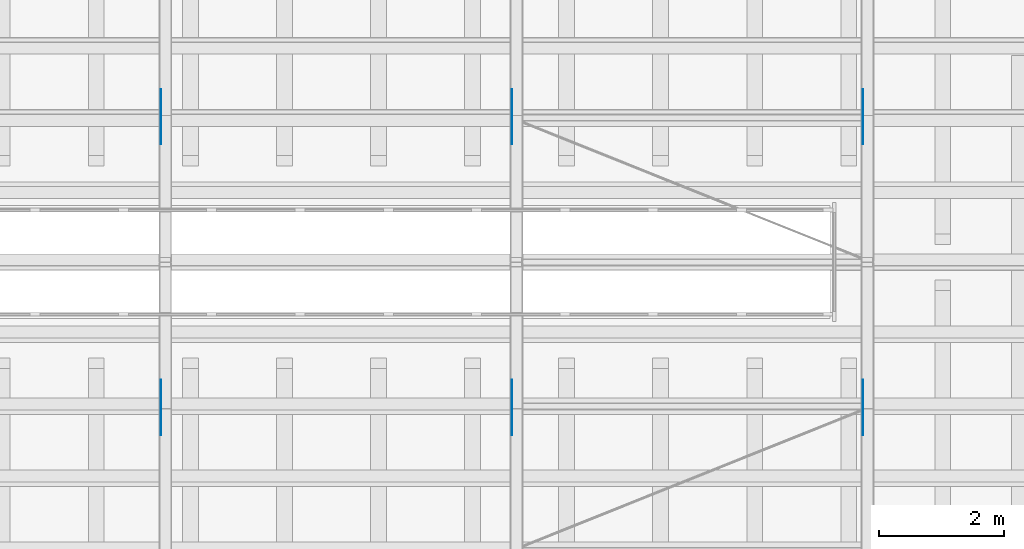
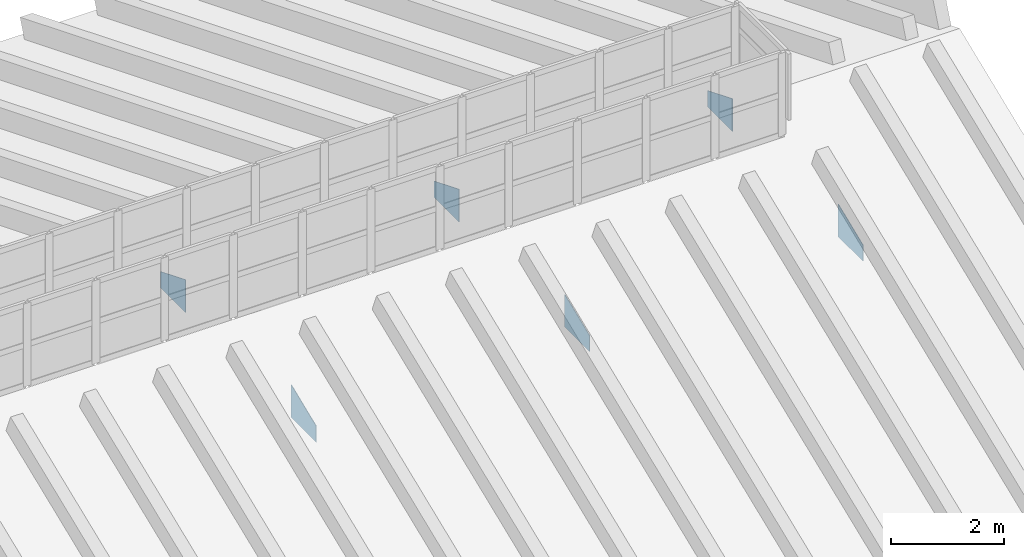
# One storey, part 66 of 105: 6 discrete accessories.
"""IFC4 building model written with IfcOpenShell, lengths in metres."""

import ifcopenshell
import ifcopenshell.guid

model = None  # the IFC model being written
_history = None  # IfcOwnerHistory: only IFC2X3 demands one
_inside = {}  # id of a spatial element -> (the spatial element, [elements in it])
_under = {}  # id of a project, library or spatial element -> (it, [spatial elements below it])
_declared = {}  # id of a project -> (the project, [libraries it declares])
_typed = {}  # id of a type object -> (the type object, [elements of that type])
_made_of = {}  # id of a material, layer set ... -> (it, [elements and type objects made of it])


def new_model(schema):
    """Start an empty IFC model of exactly this schema.

    Asked for "IFC4X3", IfcOpenShell would pick the latest addendum, in which some entities
    have other attributes; the version numbers below select the first issue.
    IFC2X3 requires an IfcOwnerHistory on every rooted entity: one is made here for all.
    """
    global model, _history
    if schema == "IFC4X3":
        model = ifcopenshell.file(schema_version=(4, 3, 0, 0))
    else:
        model = ifcopenshell.file(schema=schema)
    _inside.clear()
    _under.clear()
    _declared.clear()
    _typed.clear()
    _made_of.clear()
    _history = None
    if model.schema == "IFC2X3":
        org = make("IfcOrganization", Name="unknown")
        user = make(
            "IfcPersonAndOrganization",
            ThePerson=make("IfcPerson", FamilyName="unknown"),
            TheOrganization=org,
        )
        app = make(
            "IfcApplication",
            ApplicationDeveloper=org,
            Version="unknown",
            ApplicationFullName="unknown",
            ApplicationIdentifier="unknown",
        )
        _history = make(
            "IfcOwnerHistory",
            OwningUser=user,
            OwningApplication=app,
            ChangeAction="ADDED",
            CreationDate=0,
        )
    return model


def make(cls, **values):
    """One entity of the class cls with the attributes given. An attribute that is None is left unset."""
    return model.create_entity(
        cls, **{name: value for name, value in values.items() if value is not None}
    )


def rooted(cls, **values):
    """An entity with a GlobalId (a new one), such as an element, a storey or a relation."""
    return make(cls, GlobalId=ifcopenshell.guid.new(), OwnerHistory=_history, **values)


def si_unit(unit_type, name, prefix=None):
    """IfcSIUnit, for example si_unit("LENGTHUNIT", "METRE", prefix="MILLI")."""
    return make("IfcSIUnit", UnitType=unit_type, Prefix=prefix, Name=name)


def assignment(units):
    """IfcUnitAssignment: the units of a project."""
    return None if units is None else make("IfcUnitAssignment", Units=units)


def point(xyz):
    """IfcCartesianPoint."""
    return None if xyz is None else make("IfcCartesianPoint", Coordinates=xyz)


def direction(xyz):
    """IfcDirection."""
    return None if xyz is None else make("IfcDirection", DirectionRatios=xyz)


def frame(location, z_axis=None, x_axis=None):
    """IfcAxis2Placement3D, a coordinate frame: its origin and axes. An axis left out is left unset."""
    return make(
        "IfcAxis2Placement3D",
        Location=point(location),
        Axis=direction(z_axis),
        RefDirection=direction(x_axis),
    )


def origin():
    """The frame at (0, 0, 0) with its axes left unset."""
    return frame((0.0, 0.0, 0.0))


def place(relative_to, where):
    """IfcLocalPlacement: puts the frame where relative to a parent placement (None: the world)."""
    return make(
        "IfcLocalPlacement", PlacementRelTo=relative_to, RelativePlacement=where
    )


def context(
    kind, dimensions, precision=None, world=None, true_north=None, identifier=None
):
    """IfcGeometricRepresentationContext, for example the 3D "Model" context."""
    return make(
        "IfcGeometricRepresentationContext",
        ContextIdentifier=identifier,
        ContextType=kind,
        CoordinateSpaceDimension=dimensions,
        Precision=precision,
        WorldCoordinateSystem=world,
        TrueNorth=true_north,
    )


def subcontext(parent, identifier, kind, view, scale=None):
    """IfcGeometricRepresentationSubContext, for example "Body" below "Model"."""
    return make(
        "IfcGeometricRepresentationSubContext",
        ContextIdentifier=identifier,
        ContextType=kind,
        ParentContext=parent,
        TargetScale=scale,
        TargetView=view,
    )


def project(units=None, contexts=None):
    """IfcProject with its units and contexts."""
    return rooted(
        "IfcProject",
        Name="project",
        RepresentationContexts=contexts,
        UnitsInContext=assignment(units),
    )


def spatial(cls, under=None, at=None, **own):
    """A site, building, storey or space (cls), placed at a placement, below another one or the project."""
    s = rooted(cls, ObjectPlacement=at, **own)
    if under is not None:
        _under.setdefault(under.id(), (under, []))[1].append(s)
    return s


def polyline(points):
    """IfcPolyline through the points."""
    return make("IfcPolyline", Points=[point(p) for p in points])


def outline(outer, holes=None, kind="AREA"):
    """IfcArbitraryClosedProfileDef: a profile drawn as a closed curve; with holes, ...WithVoids."""
    if holes is None:
        return make("IfcArbitraryClosedProfileDef", ProfileType=kind, OuterCurve=outer)
    return make(
        "IfcArbitraryProfileDefWithVoids",
        ProfileType=kind,
        OuterCurve=outer,
        InnerCurves=holes,
    )


def extrude(swept, where, along, depth):
    """IfcExtrudedAreaSolid: the profile swept, set in the frame where, extruded along a direction by depth."""
    return make(
        "IfcExtrudedAreaSolid",
        SweptArea=swept,
        Position=where,
        ExtrudedDirection=direction(along),
        Depth=depth,
    )


def shape(context_of_items, identifier, shape_type, items):
    """IfcShapeRepresentation: the items that make up one representation, for example the "Body"."""
    return make(
        "IfcShapeRepresentation",
        ContextOfItems=context_of_items,
        RepresentationIdentifier=identifier,
        RepresentationType=shape_type,
        Items=items,
    )


def made_of(thing, what):
    """Note that an element or type object is made of a material, layer set ...; save() writes the relation."""
    if what is not None:
        _made_of.setdefault(what.id(), (what, []))[1].append(thing)
    return thing


def element(
    cls,
    number,
    at=None,
    inside=None,
    cuts=None,
    type_object=None,
    material=None,
    context=None,
    identifier="Body",
    shape_type=None,
    held_by="IfcProductDefinitionShape",
    body=None,
    shapes=None,
    **own,
):
    """One element of the class cls, such as IfcWall. Its Tag is "e" and its number.

    at: its placement. inside: the storey or other place that contains it. cuts: it is an
    opening in that element (IfcRelVoidsElement). A single representation is given by context,
    identifier, shape_type and body (its items); several are given by shapes. held_by: the class
    of the entity that holds the representations. save() writes the other relations.
    """
    e = rooted(cls, Tag="e%d" % number, ObjectPlacement=at, **own)
    if body is not None:
        shapes = [shape(context, identifier, shape_type, body)]
    if shapes is not None:
        e.Representation = make(held_by, Representations=shapes)
    if inside is not None:
        _inside.setdefault(inside.id(), (inside, []))[1].append(e)
    if cuts is not None:
        rooted(
            "IfcRelVoidsElement", RelatingBuildingElement=cuts, RelatedOpeningElement=e
        )
    if type_object is not None:
        _typed.setdefault(type_object.id(), (type_object, []))[1].append(e)
    return made_of(e, material)


def aggregate(whole, parts):
    """IfcRelAggregates: a whole, such as a stair, and the parts it consists of."""
    return rooted("IfcRelAggregates", RelatingObject=whole, RelatedObjects=parts)


def save(model, path):
    """Write the relations noted so far, then the file.

    IfcRelAggregates (storeys below a building ...), IfcRelContainedInSpatialStructure (elements
    in a storey), IfcRelDefinesByType, IfcRelAssociatesMaterial and IfcRelDeclares: one each for
    every whole, place, type object, material and project.
    """
    for whole, parts in _under.values():
        aggregate(whole, parts)
    for where, things in _inside.values():
        rooted(
            "IfcRelContainedInSpatialStructure",
            RelatedElements=things,
            RelatingStructure=where,
        )
    for kind, things in _typed.values():
        rooted("IfcRelDefinesByType", RelatedObjects=things, RelatingType=kind)
    for what, things in _made_of.values():
        rooted("IfcRelAssociatesMaterial", RelatedObjects=things, RelatingMaterial=what)
    for by, libraries in _declared.values():
        rooted("IfcRelDeclares", RelatingContext=by, RelatedDefinitions=libraries)
    model.write(path)


model = new_model("IFC4")

# Units and contexts
model_context = context("Model", 3, precision=1e-05, world=origin(), true_north=direction((0.0, 1.0)))
body_context = subcontext(model_context, "Body", "Model", "MODEL_VIEW")
ifc_project = project(units=[si_unit("LENGTHUNIT", "METRE"), si_unit("AREAUNIT", "SQUARE_METRE"), si_unit("VOLUMEUNIT", "CUBIC_METRE"), si_unit("PLANEANGLEUNIT", "RADIAN"), si_unit("MASSUNIT", "GRAM", prefix="KILO")], contexts=[model_context])

# Site, building, storey
site_placement = place(None, origin())
site = spatial("IfcSite", under=ifc_project, at=site_placement, CompositionType="ELEMENT")
building_placement = place(site_placement, origin())
building = spatial("IfcBuilding", under=site, at=building_placement, Name="Wasatch Bagh Community Centre", CompositionType="ELEMENT")
storey_placement = place(building_placement, frame((0.0, 0.0, 16.800048828125)))
storey = spatial("IfcBuildingStorey", under=building, at=storey_placement, Name="L04", CompositionType="ELEMENT", Elevation=16.800048828125)

# Discrete accessories
discrete_accessory_1_placement = place(storey_placement, frame((134.52392578125, 49.24072265625, 1.6494140625), z_axis=(-1.0, 0.0, 0.0), x_axis=(0.0, 0.926149695803, 0.377156122799)))
element("IfcDiscreteAccessory", 1, at=discrete_accessory_1_placement, inside=storey, Name="Gusset plate", PredefinedType="BRACKET", context=body_context, shape_type="SweptSolid", body=[
    extrude(outline(polyline([(0.0, 0.0), (0.49584696481169466, 0.0), (0.9522443927677454, 0.0010694882941716388), (0.6851228321623455, 0.657016819232497), (-0.13204147463224525, 0.3242428378371453), (0.0, 0.0)])), origin(), (0.0, 0.0, -1.0), 0.011962890625),
])
discrete_accessory_2_placement = place(storey_placement, frame((134.52392578125, 53.876953125, 2.007568359375), z_axis=(-1.0, 0.0, 0.0), x_axis=(0.0, 0.927030950584, -0.374984821904)))
element("IfcDiscreteAccessory", 2, at=discrete_accessory_2_placement, inside=storey, Name="Gusset plate", PredefinedType="BRACKET", context=body_context, shape_type="SweptSolid", body=[
    extrude(outline(polyline([(0.0, 0.0), (0.45639868103458614, 0.0), (0.9522442844593744, 0.0011619282583475998), (1.083525591737308, 0.32571329132918725), (0.26558373250577744, 0.6565714813587907), (0.0, 0.0)])), origin(), (0.0, 0.0, -1.0), 0.011962890625),
])
discrete_accessory_3_placement = place(storey_placement, frame((140.1240234375, 49.24072265625, 1.6494140625), z_axis=(-1.0, 0.0, 0.0), x_axis=(0.0, 0.926149695803, 0.377156122799)))
element("IfcDiscreteAccessory", 3, at=discrete_accessory_3_placement, inside=storey, Name="Gusset plate", PredefinedType="BRACKET", context=body_context, shape_type="SweptSolid", body=[
    extrude(outline(polyline([(0.0, 0.0), (0.49584696481169466, 0.0), (0.9522443927677454, 0.0010694882941716388), (0.6851228321623455, 0.657016819232497), (-0.13204147463224525, 0.3242428378371453), (0.0, 0.0)])), origin(), (0.0, 0.0, -1.0), 0.011962890625),
])
discrete_accessory_4_placement = place(storey_placement, frame((140.1240234375, 53.876953125, 2.007568359375), z_axis=(-1.0, 0.0, 0.0), x_axis=(0.0, 0.927030950584, -0.374984821904)))
element("IfcDiscreteAccessory", 4, at=discrete_accessory_4_placement, inside=storey, Name="Gusset plate", PredefinedType="BRACKET", context=body_context, shape_type="SweptSolid", body=[
    extrude(outline(polyline([(0.0, 0.0), (0.45639868103458614, 0.0), (0.9522442844593744, 0.0011619282583475998), (1.083525591737308, 0.32571329132918725), (0.26558373250577744, 0.6565714813587907), (0.0, 0.0)])), origin(), (0.0, 0.0, -1.0), 0.011962890625),
])
discrete_accessory_5_placement = place(storey_placement, frame((145.72412109375, 49.24072265625, 1.6494140625), z_axis=(-1.0, 0.0, 0.0), x_axis=(0.0, 0.926149695803, 0.377156122799)))
element("IfcDiscreteAccessory", 5, at=discrete_accessory_5_placement, inside=storey, Name="Gusset plate", PredefinedType="BRACKET", context=body_context, shape_type="SweptSolid", body=[
    extrude(outline(polyline([(0.0, 0.0), (0.49584696481169466, 0.0), (0.9522443927677454, 0.0010694882941716388), (0.6851228321623455, 0.657016819232497), (-0.13204147463224525, 0.3242428378371453), (0.0, 0.0)])), origin(), (0.0, 0.0, -1.0), 0.011962890625),
])
discrete_accessory_6_placement = place(storey_placement, frame((145.72412109375, 53.876953125, 2.007568359375), z_axis=(-1.0, 0.0, 0.0), x_axis=(0.0, 0.927030950584, -0.374984821904)))
element("IfcDiscreteAccessory", 6, at=discrete_accessory_6_placement, inside=storey, Name="Gusset plate", PredefinedType="BRACKET", context=body_context, shape_type="SweptSolid", body=[
    extrude(outline(polyline([(0.0, 0.0), (0.45639868103458614, 0.0), (0.9522442844593744, 0.0011619282583475998), (1.083525591737308, 0.32571329132918725), (0.26558373250577744, 0.6565714813587907), (0.0, 0.0)])), origin(), (0.0, 0.0, -1.0), 0.011962890625),
])

save(model, "model.ifc")
